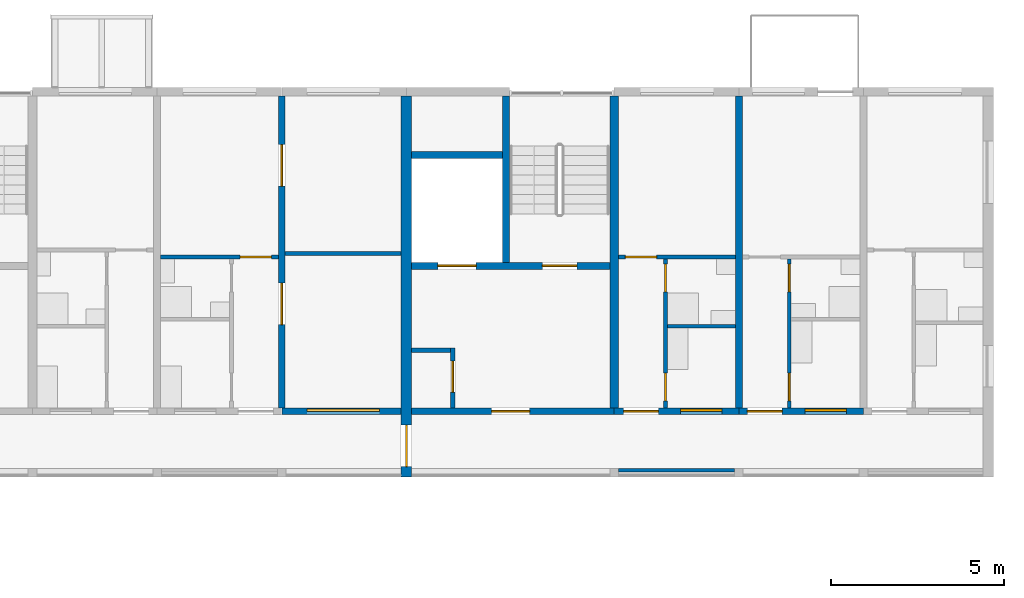
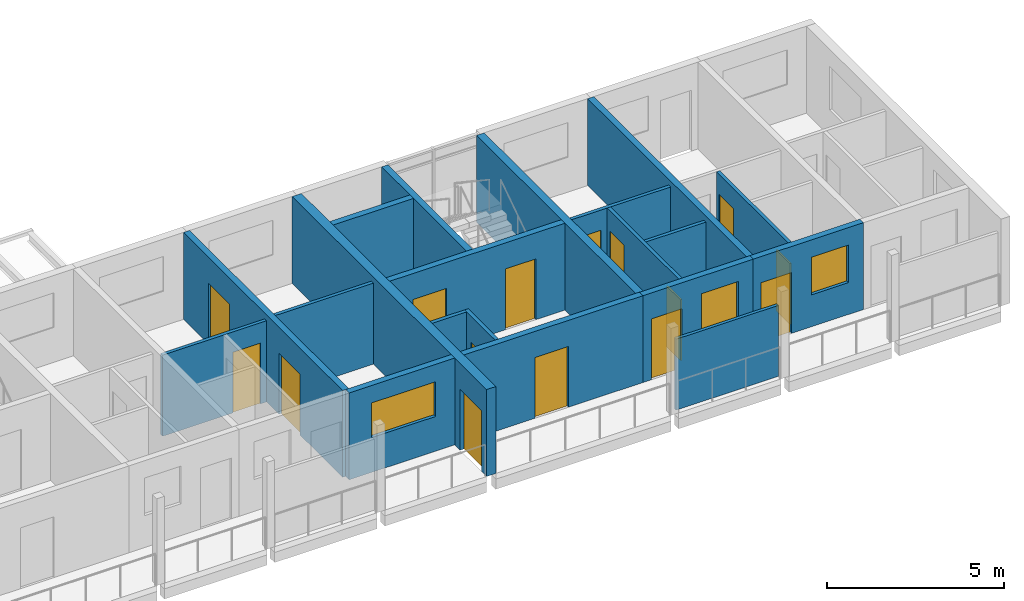
# One storey, part 43 of 100: 20 walls, 15 doors, 3 windows, 18 openings.
"""IFC4 building model written with IfcOpenShell, lengths in metres."""

from ifc_helpers import new_model, si_unit, direction, frame, frame_2d, origin, place, context, subcontext, project, spatial, rectangle, extrude, material, layer, layer_set, type_object, element, fill, save


model = new_model("IFC4")

# Units and contexts
model_context = context("Model", 3, precision=1e-05, world=origin(), true_north=direction((0.0, 1.0)))
body_context = subcontext(model_context, "Body", "Model", "MODEL_VIEW")
ifc_project = project(units=[si_unit("LENGTHUNIT", "METRE"), si_unit("AREAUNIT", "SQUARE_METRE"), si_unit("VOLUMEUNIT", "CUBIC_METRE"), si_unit("PLANEANGLEUNIT", "RADIAN"), si_unit("MASSUNIT", "GRAM", prefix="KILO")], contexts=[model_context])

# Site, building, storey
site_placement = place(None, origin())
site = spatial("IfcSite", under=ifc_project, at=site_placement, CompositionType="ELEMENT")
building_placement = place(site_placement, origin())
building = spatial("IfcBuilding", under=site, at=building_placement, Name="Ridgestep Commons", CompositionType="ELEMENT")
storey_placement = place(building_placement, frame((0.0, 0.0, 9.0)))
storey = spatial("IfcBuildingStorey", under=building, at=storey_placement, Name="L03", CompositionType="ELEMENT", Elevation=9.0)

# Wall
ifc_material_1 = material(Name="Concrete C30/37", Category="concrete")
ifc_layer_1 = layer(ifc_material_1, 0.25)
ifc_layer_set_1 = layer_set([ifc_layer_1], Name="Core cross wall 250")
wall_type_1 = type_object("IfcWallType", Name="Core cross wall 250", PredefinedType="SHEAR", material=ifc_layer_set_1)
wall_1_placement = place(storey_placement, frame((102.0, 68.0, 0.0), z_axis=(0.0, 0.0, 1.0), x_axis=(0.0, 1.0, 0.0)))
element("IfcWall", 1, at=wall_1_placement, inside=storey, type_object=wall_type_1, Name="Cross wall B-03-1020", PredefinedType="SHEAR", context=body_context, shape_type="SweptSolid", body=[
    extrude(rectangle(XDim=9.0, YDim=0.25, at=frame_2d((4.5, 0.0))), origin(), (0.0, 0.0, 1.0), 3.0),
])

# Wall, opening, door
ifc_material_2 = material(Name="Concrete C30/37", Category="concrete")
ifc_layer_2 = layer(ifc_material_2, 0.199951171875)
ifc_layer_set_2 = layer_set([ifc_layer_2], Name="Core south wall 200")
wall_type_2 = type_object("IfcWallType", Name="Core south wall 200", PredefinedType="SHEAR", material=ifc_layer_set_2)
wall_2_placement = place(storey_placement, frame((96.14990234375, 67.89990234375, 0.0), z_axis=(0.0, 0.0, 1.0), x_axis=(1.0, 0.0, 0.0)))
wall_2 = element("IfcWall", 2, at=wall_2_placement, inside=storey, type_object=wall_type_2, Name="Core south wall B6C L03", PredefinedType="SHEAR", context=body_context, shape_type="SweptSolid", body=[
    extrude(rectangle(XDim=5.85009765625, YDim=0.199951171875, at=frame_2d((2.925048828125, 0.0))), origin(), (0.0, 0.0, 1.0), 3.0),
])
opening_1_placement = place(wall_2_placement, frame((2.3125, 0.0, 0.0)))
opening_1 = element("IfcOpeningElement", 3, at=opening_1_placement, cuts=wall_2, Name="Opening B6C/03/1", PredefinedType="OPENING", context=body_context, shape_type="SweptSolid", body=[
    extrude(rectangle(XDim=1.10009765625, YDim=2.10009765625, at=frame_2d((0.550048828125, 1.050048828125))), frame((0.0, 0.10986328125, 0.0), z_axis=(0.0, -1.0, 0.0), x_axis=(1.0, 0.0, 0.0)), (0.0, 0.0, 1.0), 0.219970703125),
])
ifc_material_3 = material(Name="Steel fire door", Category="steel")
door_type_1 = type_object("IfcDoorType", Name="Lobby door 1100 x 2100 FD60", OperationType="NOTDEFINED", PredefinedType="DOOR", material=ifc_material_3)
door_1_placement = place(opening_1_placement, origin())
door_1 = element("IfcDoor", 4, at=door_1_placement, inside=storey, type_object=door_type_1, Name="Lobby door B6C/03/1", OperationType="SINGLE_SWING_LEFT", OverallHeight=2.10009765625, OverallWidth=1.10009765625, PredefinedType="DOOR", context=body_context, shape_type="SweptSolid", body=[
    extrude(rectangle(XDim=1.10009765625, YDim=2.10009765625, at=frame_2d((0.550048828125, 1.050048828125))), frame((0.0, 0.02490234375, 0.0), z_axis=(0.0, -1.0, 0.0), x_axis=(1.0, 0.0, 0.0)), (0.0, 0.0, 1.0), 0.050048828125),
])
fill(opening_1, door_1)

ifc_material_4 = material(Name="Concrete C30/37", Category="concrete")
ifc_layer_3 = layer(ifc_material_4, 0.1201171875)
ifc_layer_set_3 = layer_set([ifc_layer_3], Name="Core wall 120")
wall_type_3 = type_object("IfcWallType", Name="Core wall 120", PredefinedType="SHEAR", material=ifc_layer_set_3)
wall_3_placement = place(storey_placement, frame((97.340087890625, 68.0, 0.0), z_axis=(0.0, 0.0, 1.0), x_axis=(0.0, 1.0, 0.0)))
wall_3 = element("IfcWall", 5, at=wall_3_placement, inside=storey, type_object=wall_type_3, Name="Core riser w wall B6C L03", PredefinedType="SHEAR", context=body_context, shape_type="SweptSolid", body=[
    extrude(rectangle(XDim=1.719970703125, YDim=0.1201171875, at=frame_2d((0.85986328125, 0.0))), origin(), (0.0, 0.0, 1.0), 3.0),
])
opening_2_placement = place(wall_3_placement, frame((0.449951171875, 0.0, 0.0)))
opening_2 = element("IfcOpeningElement", 6, at=opening_2_placement, cuts=wall_3, Name="Opening B6C/03/4", PredefinedType="OPENING", context=body_context, shape_type="SweptSolid", body=[
    extrude(rectangle(XDim=0.89990234375, YDim=2.10009765625, at=frame_2d((0.449951171875, 1.050048828125))), frame((0.0, 0.070068359375, 0.0), z_axis=(0.0, -1.0, 0.0), x_axis=(1.0, 0.0, 0.0)), (0.0, 0.0, 1.0), 0.14013671875),
])
ifc_material_5 = material(Name="Steel fire door", Category="steel")
door_type_2 = type_object("IfcDoorType", Name="Riser door 900 x 2100 FD60", OperationType="NOTDEFINED", PredefinedType="DOOR", material=ifc_material_5)
door_2_placement = place(opening_2_placement, origin())
door_2 = element("IfcDoor", 7, at=door_2_placement, inside=storey, type_object=door_type_2, Name="Riser door B6C/03/4", OperationType="SINGLE_SWING_RIGHT", OverallHeight=2.10009765625, OverallWidth=0.89990234375, PredefinedType="DOOR", context=body_context, shape_type="SweptSolid", body=[
    extrude(rectangle(XDim=0.89990234375, YDim=2.10009765625, at=frame_2d((0.449951171875, 1.050048828125))), frame((0.0, 0.02490234375, 0.0), z_axis=(0.0, -1.0, 0.0), x_axis=(1.0, 0.0, 0.0)), (0.0, 0.0, 1.0), 0.050048828125),
])
fill(opening_2, door_2)

# Wall
wall_4_placement = place(storey_placement, frame((96.14990234375, 69.659912109375, 0.0), z_axis=(0.0, 0.0, 1.0), x_axis=(1.0, 0.0, 0.0)))
element("IfcWall", 8, at=wall_4_placement, inside=storey, type_object=wall_type_3, Name="Core riser n wall B6C L03", PredefinedType="SHEAR", context=body_context, shape_type="SweptSolid", body=[
    extrude(rectangle(XDim=1.130126953125, YDim=0.1201171875, at=frame_2d((0.56494140625, 0.0))), origin(), (0.0, 0.0, 1.0), 3.0),
])

# Wall, openings, doors
ifc_material_6 = material(Name="Concrete C30/37", Category="concrete")
ifc_layer_4 = layer(ifc_material_6, 0.199951171875)
ifc_layer_set_4 = layer_set([ifc_layer_4], Name="Core wall 200")
wall_type_4 = type_object("IfcWallType", Name="Core wall 200", PredefinedType="SHEAR", material=ifc_layer_set_4)
wall_5_placement = place(storey_placement, frame((96.14990234375, 72.10009765625, 0.0), z_axis=(0.0, 0.0, 1.0), x_axis=(1.0, 0.0, 0.0)))
wall_5 = element("IfcWall", 9, at=wall_5_placement, inside=storey, type_object=wall_type_4, Name="Core lobby wall B6C L03", PredefinedType="SHEAR", context=body_context, shape_type="SweptSolid", body=[
    extrude(rectangle(XDim=5.72509765625, YDim=0.199951171875, at=frame_2d((2.862548828125, 0.0))), origin(), (0.0, 0.0, 1.0), 3.0),
])
opening_3_placement = place(wall_5_placement, frame((3.77490234375, 0.0, 0.0)))
opening_3 = element("IfcOpeningElement", 10, at=opening_3_placement, cuts=wall_5, Name="Opening B6C/03/2", PredefinedType="OPENING", context=body_context, shape_type="SweptSolid", body=[
    extrude(rectangle(XDim=1.0, YDim=2.10009765625, at=frame_2d((0.5, 1.050048828125))), frame((0.0, 0.10986328125, 0.0), z_axis=(0.0, -1.0, 0.0), x_axis=(1.0, 0.0, 0.0)), (0.0, 0.0, 1.0), 0.219970703125),
])
opening_4_placement = place(wall_5_placement, frame((0.762451171875, 0.0, 0.0)))
opening_4 = element("IfcOpeningElement", 11, at=opening_4_placement, cuts=wall_5, Name="Opening B6C/03/3", PredefinedType="OPENING", context=body_context, shape_type="SweptSolid", body=[
    extrude(rectangle(XDim=1.10009765625, YDim=2.10009765625, at=frame_2d((0.550048828125, 1.050048828125))), frame((0.0, 0.10986328125, 0.0), z_axis=(0.0, -1.0, 0.0), x_axis=(1.0, 0.0, 0.0)), (0.0, 0.0, 1.0), 0.219970703125),
])
ifc_material_7 = material(Name="Stainless steel", Category="steel")
door_type_3 = type_object("IfcDoorType", Name="Lift landing door 1100 x 2100 FD60", OperationType="DOUBLE_DOOR_SLIDING", PredefinedType="DOOR", material=ifc_material_7)
door_3_placement = place(opening_4_placement, origin())
door_3 = element("IfcDoor", 12, at=door_3_placement, inside=storey, type_object=door_type_3, Name="Landing door LD B6C L03", OperationType="DOUBLE_DOOR_SLIDING", OverallHeight=2.10009765625, OverallWidth=1.10009765625, PredefinedType="DOOR", context=body_context, shape_type="SweptSolid", body=[
    extrude(rectangle(XDim=1.10009765625, YDim=2.10009765625, at=frame_2d((0.550048828125, 1.050048828125))), frame((0.0, 0.02490234375, 0.0), z_axis=(0.0, -1.0, 0.0), x_axis=(1.0, 0.0, 0.0)), (0.0, 0.0, 1.0), 0.050048828125),
])
fill(opening_4, door_3)
ifc_material_8 = material(Name="Steel fire door", Category="steel")
door_type_4 = type_object("IfcDoorType", Name="Stair door 1000 x 2100 FD60", OperationType="NOTDEFINED", PredefinedType="DOOR", material=ifc_material_8)
door_4_placement = place(opening_3_placement, origin())
door_4 = element("IfcDoor", 13, at=door_4_placement, inside=storey, type_object=door_type_4, Name="Stair door B6C/03/2", OperationType="SINGLE_SWING_RIGHT", OverallHeight=2.10009765625, OverallWidth=1.0, PredefinedType="DOOR", context=body_context, shape_type="SweptSolid", body=[
    extrude(rectangle(XDim=1.0, YDim=2.10009765625, at=frame_2d((0.5, 1.050048828125))), frame((0.0, 0.02490234375, 0.0), z_axis=(0.0, -1.0, 0.0), x_axis=(1.0, 0.0, 0.0)), (0.0, 0.0, 1.0), 0.050048828125),
])
fill(opening_3, door_4)

# Walls
wall_6_placement = place(storey_placement, frame((98.875, 72.199951171875, 0.0), z_axis=(0.0, 0.0, 1.0), x_axis=(0.0, 1.0, 0.0)))
element("IfcWall", 14, at=wall_6_placement, inside=storey, type_object=wall_type_4, Name="Core stair wall B6C L03", PredefinedType="SHEAR", context=body_context, shape_type="SweptSolid", body=[
    extrude(rectangle(XDim=4.800048828125, YDim=0.199951171875, at=frame_2d((2.39990234375, 0.0))), origin(), (0.0, 0.0, 1.0), 3.0),
])
wall_7_placement = place(storey_placement, frame((96.14990234375, 75.300048828125, 0.0), z_axis=(0.0, 0.0, 1.0), x_axis=(1.0, 0.0, 0.0)))
element("IfcWall", 15, at=wall_7_placement, inside=storey, type_object=wall_type_4, Name="Core duct wall B6C L03", PredefinedType="SHEAR", context=body_context, shape_type="SweptSolid", body=[
    extrude(rectangle(XDim=2.625, YDim=0.199951171875, at=frame_2d((1.3125, 0.0))), origin(), (0.0, 0.0, 1.0), 3.0),
])

# Wall, openings, doors
ifc_material_9 = material(Name="Precast concrete C40/50", Category="concrete")
ifc_layer_5 = layer(ifc_material_9, 0.199951171875)
ifc_layer_set_5 = layer_set([ifc_layer_5], Name="Cross wall 200")
wall_type_5 = type_object("IfcWallType", Name="Cross wall 200", PredefinedType="SHEAR", material=ifc_layer_set_5)
wall_8_placement = place(storey_placement, frame((92.39990234375, 68.0, 0.0), z_axis=(0.0, 0.0, 1.0), x_axis=(0.0, 1.0, 0.0)))
wall_8 = element("IfcWall", 16, at=wall_8_placement, inside=storey, type_object=wall_type_5, Name="Cross wall B-03-0924", PredefinedType="SHEAR", context=body_context, shape_type="SweptSolid", body=[
    extrude(rectangle(XDim=9.0, YDim=0.199951171875, at=frame_2d((4.5, 0.0))), origin(), (0.0, 0.0, 1.0), 3.0),
])
opening_5_placement = place(wall_8_placement, frame((2.39990234375, 0.0, 0.0)))
opening_5 = element("IfcOpeningElement", 17, at=opening_5_placement, cuts=wall_8, Name="Opening B5-03a/5", PredefinedType="OPENING", context=body_context, shape_type="SweptSolid", body=[
    extrude(rectangle(XDim=1.199951171875, YDim=2.10009765625, at=frame_2d((0.60009765625, 1.050048828125))), frame((0.0, 0.10986328125, 0.0), z_axis=(0.0, -1.0, 0.0), x_axis=(1.0, 0.0, 0.0)), (0.0, 0.0, 1.0), 0.219970703125),
])
opening_6_placement = place(wall_8_placement, frame((6.39990234375, 0.0, 0.0)))
opening_6 = element("IfcOpeningElement", 18, at=opening_6_placement, cuts=wall_8, Name="Opening B5-03a/6", PredefinedType="OPENING", context=body_context, shape_type="SweptSolid", body=[
    extrude(rectangle(XDim=1.199951171875, YDim=2.10009765625, at=frame_2d((0.60009765625, 1.050048828125))), frame((0.0, 0.10986328125, 0.0), z_axis=(0.0, -1.0, 0.0), x_axis=(1.0, 0.0, 0.0)), (0.0, 0.0, 1.0), 0.219970703125),
])
ifc_material_10 = material(Name="Timber door leaf", Category="wood")
door_type_5 = type_object("IfcDoorType", Name="Double door 1200 x 2100", OperationType="DOUBLE_DOOR_SINGLE_SWING", PredefinedType="DOOR", material=ifc_material_10)
door_5_placement = place(opening_5_placement, origin())
door_5 = element("IfcDoor", 19, at=door_5_placement, inside=storey, type_object=door_type_5, Name="Double door B5-03a/5", OperationType="DOUBLE_DOOR_SINGLE_SWING", OverallHeight=2.10009765625, OverallWidth=1.199951171875, PredefinedType="DOOR", context=body_context, shape_type="SweptSolid", body=[
    extrude(rectangle(XDim=1.199951171875, YDim=2.10009765625, at=frame_2d((0.60009765625, 1.050048828125))), frame((0.0, 0.02490234375, 0.0), z_axis=(0.0, -1.0, 0.0), x_axis=(1.0, 0.0, 0.0)), (0.0, 0.0, 1.0), 0.050048828125),
])
fill(opening_5, door_5)
door_6_placement = place(opening_6_placement, origin())
door_6 = element("IfcDoor", 20, at=door_6_placement, inside=storey, type_object=door_type_5, Name="Double door B5-03a/6", OperationType="DOUBLE_DOOR_SINGLE_SWING", OverallHeight=2.10009765625, OverallWidth=1.199951171875, PredefinedType="DOOR", context=body_context, shape_type="SweptSolid", body=[
    extrude(rectangle(XDim=1.199951171875, YDim=2.10009765625, at=frame_2d((0.60009765625, 1.050048828125))), frame((0.0, 0.02490234375, 0.0), z_axis=(0.0, -1.0, 0.0), x_axis=(1.0, 0.0, 0.0)), (0.0, 0.0, 1.0), 0.050048828125),
])
fill(opening_6, door_6)

# Wall
wall_9_placement = place(storey_placement, frame((105.60009765625, 68.0, 0.0), z_axis=(0.0, 0.0, 1.0), x_axis=(0.0, 1.0, 0.0)))
element("IfcWall", 21, at=wall_9_placement, inside=storey, type_object=wall_type_5, Name="Cross wall B-03-1056", PredefinedType="SHEAR", context=body_context, shape_type="SweptSolid", body=[
    extrude(rectangle(XDim=9.0, YDim=0.199951171875, at=frame_2d((4.5, 0.0))), origin(), (0.0, 0.0, 1.0), 3.0),
])

# Wall, opening, door
ifc_material_11 = material(Name="Precast concrete C40/50", Category="concrete")
ifc_layer_6 = layer(ifc_material_11, 0.300048828125)
ifc_layer_set_6 = layer_set([ifc_layer_6], Name="Division wall 300")
wall_type_6 = type_object("IfcWallType", Name="Division wall 300", PredefinedType="SHEAR", material=ifc_layer_set_6)
wall_10_placement = place(storey_placement, frame((96.0, 66.0, 0.0), z_axis=(0.0, 0.0, 1.0), x_axis=(0.0, 1.0, 0.0)))
wall_10 = element("IfcWall", 22, at=wall_10_placement, inside=storey, type_object=wall_type_6, Name="Cross wall B-03-0960", PredefinedType="SHEAR", context=body_context, shape_type="SweptSolid", body=[
    extrude(rectangle(XDim=11.0, YDim=0.300048828125, at=frame_2d((5.5, 0.0))), origin(), (0.0, 0.0, 1.0), 3.0),
])
opening_7_placement = place(wall_10_placement, frame((0.300048828125, 0.0, 0.0)))
opening_7 = element("IfcOpeningElement", 23, at=opening_7_placement, cuts=wall_10, Name="Opening B/03/G0960", PredefinedType="OPENING", context=body_context, shape_type="SweptSolid", body=[
    extrude(rectangle(XDim=1.199951171875, YDim=2.10009765625, at=frame_2d((0.60009765625, 1.050048828125))), frame((0.0, 0.159912109375, 0.0), z_axis=(0.0, -1.0, 0.0), x_axis=(1.0, 0.0, 0.0)), (0.0, 0.0, 1.0), 0.320068359375),
])
ifc_material_12 = material(Name="Steel fire door", Category="steel")
door_type_6 = type_object("IfcDoorType", Name="Division fire door 1200 x 2100 EI 240", OperationType="DOUBLE_DOOR_SINGLE_SWING", PredefinedType="DOOR", material=ifc_material_12)
door_7_placement = place(opening_7_placement, origin())
door_7 = element("IfcDoor", 24, at=door_7_placement, inside=storey, type_object=door_type_6, Name="Division fire door B/03/G0960", OperationType="DOUBLE_DOOR_SINGLE_SWING", OverallHeight=2.10009765625, OverallWidth=1.199951171875, PredefinedType="DOOR", context=body_context, shape_type="SweptSolid", body=[
    extrude(rectangle(XDim=1.199951171875, YDim=2.10009765625, at=frame_2d((0.60009765625, 1.050048828125))), frame((0.0, 0.02490234375, 0.0), z_axis=(0.0, -1.0, 0.0), x_axis=(1.0, 0.0, 0.0)), (0.0, 0.0, 1.0), 0.050048828125),
])
fill(opening_7, door_7)

ifc_material_13 = material(Name="Common brick 110 mm", Category="masonry")
ifc_layer_7 = layer(ifc_material_13, 0.110107421875)
ifc_layer_set_7 = layer_set([ifc_layer_7], Name="Partition 110")
wall_type_7 = type_object("IfcWallType", Name="Partition 110", PredefinedType="PARTITIONING", material=ifc_layer_set_7)
wall_11_placement = place(storey_placement, frame((88.89990234375, 72.35498046875, 0.0), z_axis=(0.0, 0.0, 1.0), x_axis=(1.0, 0.0, 0.0)))
wall_11 = element("IfcWall", 25, at=wall_11_placement, inside=storey, type_object=wall_type_7, Name="Partition B5-03a", PredefinedType="PARTITIONING", context=body_context, shape_type="SweptSolid", body=[
    extrude(rectangle(XDim=3.400146484375, YDim=0.110107421875, at=frame_2d((1.7001953125, 0.0))), origin(), (0.0, 0.0, 1.0), 2.800048828125),
])
opening_8_placement = place(wall_11_placement, frame((2.300048828125, 0.0, 0.0)))
opening_8 = element("IfcOpeningElement", 26, at=opening_8_placement, cuts=wall_11, Name="Opening B5-03a/4", PredefinedType="OPENING", context=body_context, shape_type="SweptSolid", body=[
    extrude(rectangle(XDim=0.89990234375, YDim=2.10009765625, at=frame_2d((0.449951171875, 1.050048828125))), frame((0.0, 0.06494140625, 0.0), z_axis=(0.0, -1.0, 0.0), x_axis=(1.0, 0.0, 0.0)), (0.0, 0.0, 1.0), 0.130126953125),
])
ifc_material_14 = material(Name="Timber door leaf", Category="wood")
door_type_7 = type_object("IfcDoorType", Name="Internal door 900 x 2100", OperationType="NOTDEFINED", PredefinedType="DOOR", material=ifc_material_14)
door_8_placement = place(opening_8_placement, origin())
door_8 = element("IfcDoor", 27, at=door_8_placement, inside=storey, type_object=door_type_7, Name="Internal door B5-03a/4", OperationType="SINGLE_SWING_LEFT", OverallHeight=2.10009765625, OverallWidth=0.89990234375, PredefinedType="DOOR", context=body_context, shape_type="SweptSolid", body=[
    extrude(rectangle(XDim=0.89990234375, YDim=2.10009765625, at=frame_2d((0.449951171875, 1.050048828125))), frame((0.0, 0.02490234375, 0.0), z_axis=(0.0, -1.0, 0.0), x_axis=(1.0, 0.0, 0.0)), (0.0, 0.0, 1.0), 0.050048828125),
])
fill(opening_8, door_8)

# Wall
wall_12_placement = place(storey_placement, frame((92.5, 72.455078125, 0.0), z_axis=(0.0, 0.0, 1.0), x_axis=(1.0, 0.0, 0.0)))
element("IfcWall", 28, at=wall_12_placement, inside=storey, type_object=wall_type_7, Name="Partition B5-03a", PredefinedType="PARTITIONING", context=body_context, shape_type="SweptSolid", body=[
    extrude(rectangle(XDim=3.35009765625, YDim=0.110107421875, at=frame_2d((1.675048828125, 0.0))), origin(), (0.0, 0.0, 1.0), 2.800048828125),
])

# Wall, openings, doors
wall_13_placement = place(storey_placement, frame((107.054931640625, 68.0, 0.0), z_axis=(0.0, 0.0, 1.0), x_axis=(0.0, 1.0, 0.0)))
wall_13 = element("IfcWall", 29, at=wall_13_placement, inside=storey, type_object=wall_type_7, Name="Partition B6-03b", PredefinedType="PARTITIONING", context=body_context, shape_type="SweptSolid", body=[
    extrude(rectangle(XDim=4.300048828125, YDim=0.110107421875, at=frame_2d((2.14990234375, 0.0))), origin(), (0.0, 0.0, 1.0), 2.800048828125),
])
opening_9_placement = place(wall_13_placement, frame((0.199951171875, 0.0, 0.0)))
opening_9 = element("IfcOpeningElement", 30, at=opening_9_placement, cuts=wall_13, Name="Opening B6-03b/2", PredefinedType="OPENING", context=body_context, shape_type="SweptSolid", body=[
    extrude(rectangle(XDim=0.800048828125, YDim=2.10009765625, at=frame_2d((0.39990234375, 1.050048828125))), frame((0.0, 0.06494140625, 0.0), z_axis=(0.0, -1.0, 0.0), x_axis=(1.0, 0.0, 0.0)), (0.0, 0.0, 1.0), 0.130126953125),
])
opening_10_placement = place(wall_13_placement, frame((3.35009765625, 0.0, 0.0)))
opening_10 = element("IfcOpeningElement", 31, at=opening_10_placement, cuts=wall_13, Name="Opening B6-03b/3", PredefinedType="OPENING", context=body_context, shape_type="SweptSolid", body=[
    extrude(rectangle(XDim=0.800048828125, YDim=2.10009765625, at=frame_2d((0.39990234375, 1.050048828125))), frame((0.0, 0.06494140625, 0.0), z_axis=(0.0, -1.0, 0.0), x_axis=(1.0, 0.0, 0.0)), (0.0, 0.0, 1.0), 0.130126953125),
])
ifc_material_15 = material(Name="Timber door leaf", Category="wood")
door_type_8 = type_object("IfcDoorType", Name="Internal door 800 x 2100", OperationType="NOTDEFINED", PredefinedType="DOOR", material=ifc_material_15)
door_9_placement = place(opening_9_placement, origin())
door_9 = element("IfcDoor", 32, at=door_9_placement, inside=storey, type_object=door_type_8, Name="Internal door B6-03b/2", OperationType="SINGLE_SWING_RIGHT", OverallHeight=2.10009765625, OverallWidth=0.800048828125, PredefinedType="DOOR", context=body_context, shape_type="SweptSolid", body=[
    extrude(rectangle(XDim=0.800048828125, YDim=2.10009765625, at=frame_2d((0.39990234375, 1.050048828125))), frame((0.0, 0.02490234375, 0.0), z_axis=(0.0, -1.0, 0.0), x_axis=(1.0, 0.0, 0.0)), (0.0, 0.0, 1.0), 0.050048828125),
])
fill(opening_9, door_9)
door_10_placement = place(opening_10_placement, origin())
door_10 = element("IfcDoor", 33, at=door_10_placement, inside=storey, type_object=door_type_8, Name="Internal door B6-03b/3", OperationType="SINGLE_SWING_LEFT", OverallHeight=2.10009765625, OverallWidth=0.800048828125, PredefinedType="DOOR", context=body_context, shape_type="SweptSolid", body=[
    extrude(rectangle(XDim=0.800048828125, YDim=2.10009765625, at=frame_2d((0.39990234375, 1.050048828125))), frame((0.0, 0.02490234375, 0.0), z_axis=(0.0, -1.0, 0.0), x_axis=(1.0, 0.0, 0.0)), (0.0, 0.0, 1.0), 0.050048828125),
])
fill(opening_10, door_10)

wall_14_placement = place(storey_placement, frame((103.47998046875, 68.0, 0.0), z_axis=(0.0, 0.0, 1.0), x_axis=(0.0, 1.0, 0.0)))
wall_14 = element("IfcWall", 34, at=wall_14_placement, inside=storey, type_object=wall_type_7, Name="Partition B6-03c", PredefinedType="PARTITIONING", context=body_context, shape_type="SweptSolid", body=[
    extrude(rectangle(XDim=4.300048828125, YDim=0.110107421875, at=frame_2d((2.14990234375, 0.0))), origin(), (0.0, 0.0, 1.0), 2.800048828125),
])
opening_11_placement = place(wall_14_placement, frame((0.199951171875, 0.0, 0.0)))
opening_11 = element("IfcOpeningElement", 35, at=opening_11_placement, cuts=wall_14, Name="Opening B6-03c/2", PredefinedType="OPENING", context=body_context, shape_type="SweptSolid", body=[
    extrude(rectangle(XDim=0.800048828125, YDim=2.10009765625, at=frame_2d((0.39990234375, 1.050048828125))), frame((0.0, 0.06494140625, 0.0), z_axis=(0.0, -1.0, 0.0), x_axis=(1.0, 0.0, 0.0)), (0.0, 0.0, 1.0), 0.130126953125),
])
opening_12_placement = place(wall_14_placement, frame((3.35009765625, 0.0, 0.0)))
opening_12 = element("IfcOpeningElement", 36, at=opening_12_placement, cuts=wall_14, Name="Opening B6-03c/3", PredefinedType="OPENING", context=body_context, shape_type="SweptSolid", body=[
    extrude(rectangle(XDim=0.800048828125, YDim=2.10009765625, at=frame_2d((0.39990234375, 1.050048828125))), frame((0.0, 0.06494140625, 0.0), z_axis=(0.0, -1.0, 0.0), x_axis=(1.0, 0.0, 0.0)), (0.0, 0.0, 1.0), 0.130126953125),
])
door_11_placement = place(opening_11_placement, origin())
door_11 = element("IfcDoor", 37, at=door_11_placement, inside=storey, type_object=door_type_8, Name="Internal door B6-03c/2", OperationType="SINGLE_SWING_RIGHT", OverallHeight=2.10009765625, OverallWidth=0.800048828125, PredefinedType="DOOR", context=body_context, shape_type="SweptSolid", body=[
    extrude(rectangle(XDim=0.800048828125, YDim=2.10009765625, at=frame_2d((0.39990234375, 1.050048828125))), frame((0.0, 0.02490234375, 0.0), z_axis=(0.0, -1.0, 0.0), x_axis=(1.0, 0.0, 0.0)), (0.0, 0.0, 1.0), 0.050048828125),
])
fill(opening_11, door_11)
door_12_placement = place(opening_12_placement, origin())
door_12 = element("IfcDoor", 38, at=door_12_placement, inside=storey, type_object=door_type_8, Name="Internal door B6-03c/3", OperationType="SINGLE_SWING_LEFT", OverallHeight=2.10009765625, OverallWidth=0.800048828125, PredefinedType="DOOR", context=body_context, shape_type="SweptSolid", body=[
    extrude(rectangle(XDim=0.800048828125, YDim=2.10009765625, at=frame_2d((0.39990234375, 1.050048828125))), frame((0.0, 0.02490234375, 0.0), z_axis=(0.0, -1.0, 0.0), x_axis=(1.0, 0.0, 0.0)), (0.0, 0.0, 1.0), 0.050048828125),
])
fill(opening_12, door_12)

# Wall
wall_15_placement = place(storey_placement, frame((103.534912109375, 70.35498046875, 0.0), z_axis=(0.0, 0.0, 1.0), x_axis=(1.0, 0.0, 0.0)))
element("IfcWall", 39, at=wall_15_placement, inside=storey, type_object=wall_type_7, Name="Partition B6-03c", PredefinedType="PARTITIONING", context=body_context, shape_type="SweptSolid", body=[
    extrude(rectangle(XDim=1.965087890625, YDim=0.110107421875, at=frame_2d((0.982421875, 0.0))), origin(), (0.0, 0.0, 1.0), 2.800048828125),
])

# Wall, opening, door
wall_16_placement = place(storey_placement, frame((102.125, 72.35498046875, 0.0), z_axis=(0.0, 0.0, 1.0), x_axis=(1.0, 0.0, 0.0)))
wall_16 = element("IfcWall", 40, at=wall_16_placement, inside=storey, type_object=wall_type_7, Name="Partition B6-03c", PredefinedType="PARTITIONING", context=body_context, shape_type="SweptSolid", body=[
    extrude(rectangle(XDim=3.375, YDim=0.110107421875, at=frame_2d((1.6875, 0.0))), origin(), (0.0, 0.0, 1.0), 2.800048828125),
])
opening_13_placement = place(wall_16_placement, frame((0.199951171875, 0.0, 0.0)))
opening_13 = element("IfcOpeningElement", 41, at=opening_13_placement, cuts=wall_16, Name="Opening B6-03c/4", PredefinedType="OPENING", context=body_context, shape_type="SweptSolid", body=[
    extrude(rectangle(XDim=0.89990234375, YDim=2.10009765625, at=frame_2d((0.449951171875, 1.050048828125))), frame((0.0, 0.06494140625, 0.0), z_axis=(0.0, -1.0, 0.0), x_axis=(1.0, 0.0, 0.0)), (0.0, 0.0, 1.0), 0.130126953125),
])
door_13_placement = place(opening_13_placement, origin())
door_13 = element("IfcDoor", 42, at=door_13_placement, inside=storey, type_object=door_type_7, Name="Internal door B6-03c/4", OperationType="SINGLE_SWING_RIGHT", OverallHeight=2.10009765625, OverallWidth=0.89990234375, PredefinedType="DOOR", context=body_context, shape_type="SweptSolid", body=[
    extrude(rectangle(XDim=0.89990234375, YDim=2.10009765625, at=frame_2d((0.449951171875, 1.050048828125))), frame((0.0, 0.02490234375, 0.0), z_axis=(0.0, -1.0, 0.0), x_axis=(1.0, 0.0, 0.0)), (0.0, 0.0, 1.0), 0.050048828125),
])
fill(opening_13, door_13)

# Wall
ifc_material_16 = material(Name="Precast concrete C30/37", Category="concrete")
ifc_layer_8 = layer(ifc_material_16, 0.10009765625)
ifc_layer_set_8 = layer_set([ifc_layer_8], Name="Perforated gallery screen 3350 x 2450 x 100")
wall_type_8 = type_object("IfcWallType", Name="Perforated gallery screen 3350 x 2450 x 100", PredefinedType="SOLIDWALL", material=ifc_layer_set_8)
wall_17_placement = place(storey_placement, frame((102.125, 66.199951171875, 0.0), z_axis=(0.0, 0.0, 1.0), x_axis=(1.0, 0.0, 0.0)))
element("IfcWall", 43, at=wall_17_placement, inside=storey, type_object=wall_type_8, Name="Gallery screen B6T3 03", PredefinedType="SOLIDWALL", context=body_context, shape_type="SweptSolid", body=[
    extrude(rectangle(XDim=3.35009765625, YDim=0.10009765625, at=frame_2d((1.675048828125, 0.0))), origin(), (0.0, 0.0, 1.0), 2.449951171875),
])

# Wall, opening, window
ifc_material_17 = material(Name="Precast concrete C40/50", Category="concrete")
ifc_layer_9 = layer(ifc_material_17, 0.199951171875)
ifc_layer_set_9 = layer_set([ifc_layer_9], Name="South facade panel 200")
wall_type_9 = type_object("IfcWallType", Name="South facade panel 200", PredefinedType="SOLIDWALL", material=ifc_layer_set_9)
wall_18_placement = place(storey_placement, frame((92.39990234375, 67.89990234375, 0.0), z_axis=(0.0, 0.0, 1.0), x_axis=(1.0, 0.0, 0.0)))
wall_18 = element("IfcWall", 44, at=wall_18_placement, inside=storey, type_object=wall_type_9, Name="South panel B5T1 L03", PredefinedType="SOLIDWALL", context=body_context, shape_type="SweptSolid", body=[
    extrude(rectangle(XDim=3.4501953125, YDim=0.199951171875, at=frame_2d((1.72509765625, 0.0))), origin(), (0.0, 0.0, 1.0), 3.0),
])
opening_14_placement = place(wall_18_placement, frame((0.72509765625, 0.0, 1.199951171875)))
opening_14 = element("IfcOpeningElement", 45, at=opening_14_placement, cuts=wall_18, Name="Opening W22", PredefinedType="OPENING", context=body_context, shape_type="SweptSolid", body=[
    extrude(rectangle(XDim=2.10009765625, YDim=1.199951171875, at=frame_2d((1.050048828125, 0.60009765625))), frame((0.0, 0.10986328125, 0.0), z_axis=(0.0, -1.0, 0.0), x_axis=(1.0, 0.0, 0.0)), (0.0, 0.0, 1.0), 0.219970703125),
])
ifc_material_18 = material(Name="Aluminium 6063-T6 and glass", Category="aluminium")
window_type_1 = type_object("IfcWindowType", Name="Flat window 2100 x 1200", PartitioningType="DOUBLE_PANEL_VERTICAL", PredefinedType="WINDOW", material=ifc_material_18)
window_1_placement = place(opening_14_placement, origin())
window_1 = element("IfcWindow", 46, at=window_1_placement, inside=storey, type_object=window_type_1, Name="Window B5-03a 1", OverallHeight=1.199951171875, OverallWidth=2.10009765625, PartitioningType="SINGLE_PANEL", PredefinedType="WINDOW", context=body_context, shape_type="SweptSolid", body=[
    extrude(rectangle(XDim=2.10009765625, YDim=1.199951171875, at=frame_2d((1.050048828125, 0.60009765625))), frame((0.0, 0.06005859375, 0.0), z_axis=(0.0, -1.0, 0.0), x_axis=(1.0, 0.0, 0.0)), (0.0, 0.0, 1.0), 0.06005859375),
])
fill(opening_14, window_1)

# Wall, openings, door, window
wall_19_placement = place(storey_placement, frame((102.0, 67.89990234375, 0.0), z_axis=(0.0, 0.0, 1.0), x_axis=(1.0, 0.0, 0.0)))
wall_19 = element("IfcWall", 47, at=wall_19_placement, inside=storey, type_object=wall_type_9, Name="South panel B6T3 L03", PredefinedType="SOLIDWALL", context=body_context, shape_type="SweptSolid", body=[
    extrude(rectangle(XDim=3.60009765625, YDim=0.199951171875, at=frame_2d((1.800048828125, 0.0))), origin(), (0.0, 0.0, 1.0), 3.0),
])
opening_15_placement = place(wall_19_placement, frame((1.91748046875, 0.0, 1.10009765625)))
opening_15 = element("IfcOpeningElement", 48, at=opening_15_placement, cuts=wall_19, Name="Opening W08", PredefinedType="OPENING", context=body_context, shape_type="SweptSolid", body=[
    extrude(rectangle(XDim=1.199951171875, YDim=1.300048828125, at=frame_2d((0.60009765625, 0.64990234375))), frame((0.0, 0.10986328125, 0.0), z_axis=(0.0, -1.0, 0.0), x_axis=(1.0, 0.0, 0.0)), (0.0, 0.0, 1.0), 0.219970703125),
])
opening_16_placement = place(wall_19_placement, frame((0.27490234375, 0.0, 0.0)))
opening_16 = element("IfcOpeningElement", 49, at=opening_16_placement, cuts=wall_19, Name="Opening B6-03c/1", PredefinedType="OPENING", context=body_context, shape_type="SweptSolid", body=[
    extrude(rectangle(XDim=1.0, YDim=2.10009765625, at=frame_2d((0.5, 1.050048828125))), frame((0.0, 0.10986328125, 0.0), z_axis=(0.0, -1.0, 0.0), x_axis=(1.0, 0.0, 0.0)), (0.0, 0.0, 1.0), 0.219970703125),
])
ifc_material_19 = material(Name="Timber door leaf", Category="wood")
door_type_9 = type_object("IfcDoorType", Name="Flat entrance door 1000 x 2100 FD30S", OperationType="NOTDEFINED", PredefinedType="DOOR", material=ifc_material_19)
door_14_placement = place(opening_16_placement, origin())
door_14 = element("IfcDoor", 50, at=door_14_placement, inside=storey, type_object=door_type_9, Name="Flat entrance door B6-03c/1", OperationType="SINGLE_SWING_LEFT", OverallHeight=2.10009765625, OverallWidth=1.0, PredefinedType="DOOR", context=body_context, shape_type="SweptSolid", body=[
    extrude(rectangle(XDim=1.0, YDim=2.10009765625, at=frame_2d((0.5, 1.050048828125))), frame((0.0, 0.02490234375, 0.0), z_axis=(0.0, -1.0, 0.0), x_axis=(1.0, 0.0, 0.0)), (0.0, 0.0, 1.0), 0.050048828125),
])
fill(opening_16, door_14)
ifc_material_20 = material(Name="Aluminium 6063-T6 and glass", Category="aluminium")
window_type_2 = type_object("IfcWindowType", Name="Flat window 1200 x 1300", PartitioningType="SINGLE_PANEL", PredefinedType="WINDOW", material=ifc_material_20)
window_2_placement = place(opening_15_placement, origin())
window_2 = element("IfcWindow", 51, at=window_2_placement, inside=storey, type_object=window_type_2, Name="Window B6-03c 1", OverallHeight=1.300048828125, OverallWidth=1.199951171875, PartitioningType="SINGLE_PANEL", PredefinedType="WINDOW", context=body_context, shape_type="SweptSolid", body=[
    extrude(rectangle(XDim=1.199951171875, YDim=1.300048828125, at=frame_2d((0.60009765625, 0.64990234375))), frame((0.0, 0.06005859375, 0.0), z_axis=(0.0, -1.0, 0.0), x_axis=(1.0, 0.0, 0.0)), (0.0, 0.0, 1.0), 0.06005859375),
])
fill(opening_15, window_2)

wall_20_placement = place(storey_placement, frame((105.60009765625, 67.89990234375, 0.0), z_axis=(0.0, 0.0, 1.0), x_axis=(1.0, 0.0, 0.0)))
wall_20 = element("IfcWall", 52, at=wall_20_placement, inside=storey, type_object=wall_type_9, Name="South panel B6T2 L03", PredefinedType="SOLIDWALL", context=body_context, shape_type="SweptSolid", body=[
    extrude(rectangle(XDim=3.599853515625, YDim=0.199951171875, at=frame_2d((1.7998046875, 0.0))), origin(), (0.0, 0.0, 1.0), 3.0),
])
opening_17_placement = place(wall_20_placement, frame((1.905029296875, 0.0, 1.10009765625)))
opening_17 = element("IfcOpeningElement", 53, at=opening_17_placement, cuts=wall_20, Name="Opening W08", PredefinedType="OPENING", context=body_context, shape_type="SweptSolid", body=[
    extrude(rectangle(XDim=1.199951171875, YDim=1.300048828125, at=frame_2d((0.60009765625, 0.64990234375))), frame((0.0, 0.10986328125, 0.0), z_axis=(0.0, -1.0, 0.0), x_axis=(1.0, 0.0, 0.0)), (0.0, 0.0, 1.0), 0.219970703125),
])
opening_18_placement = place(wall_20_placement, frame((0.25, 0.0, 0.0)))
opening_18 = element("IfcOpeningElement", 54, at=opening_18_placement, cuts=wall_20, Name="Opening B6-03b/1", PredefinedType="OPENING", context=body_context, shape_type="SweptSolid", body=[
    extrude(rectangle(XDim=1.0, YDim=2.10009765625, at=frame_2d((0.5, 1.050048828125))), frame((0.0, 0.10986328125, 0.0), z_axis=(0.0, -1.0, 0.0), x_axis=(1.0, 0.0, 0.0)), (0.0, 0.0, 1.0), 0.219970703125),
])
door_15_placement = place(opening_18_placement, origin())
door_15 = element("IfcDoor", 55, at=door_15_placement, inside=storey, type_object=door_type_9, Name="Flat entrance door B6-03b/1", OperationType="SINGLE_SWING_LEFT", OverallHeight=2.10009765625, OverallWidth=1.0, PredefinedType="DOOR", context=body_context, shape_type="SweptSolid", body=[
    extrude(rectangle(XDim=1.0, YDim=2.10009765625, at=frame_2d((0.5, 1.050048828125))), frame((0.0, 0.02490234375, 0.0), z_axis=(0.0, -1.0, 0.0), x_axis=(1.0, 0.0, 0.0)), (0.0, 0.0, 1.0), 0.050048828125),
])
fill(opening_18, door_15)
window_3_placement = place(opening_17_placement, origin())
window_3 = element("IfcWindow", 56, at=window_3_placement, inside=storey, type_object=window_type_2, Name="Window B6-03b 1", OverallHeight=1.300048828125, OverallWidth=1.199951171875, PartitioningType="SINGLE_PANEL", PredefinedType="WINDOW", context=body_context, shape_type="SweptSolid", body=[
    extrude(rectangle(XDim=1.199951171875, YDim=1.300048828125, at=frame_2d((0.60009765625, 0.64990234375))), frame((0.0, 0.06005859375, 0.0), z_axis=(0.0, -1.0, 0.0), x_axis=(1.0, 0.0, 0.0)), (0.0, 0.0, 1.0), 0.06005859375),
])
fill(opening_17, window_3)

save(model, "model.ifc")
